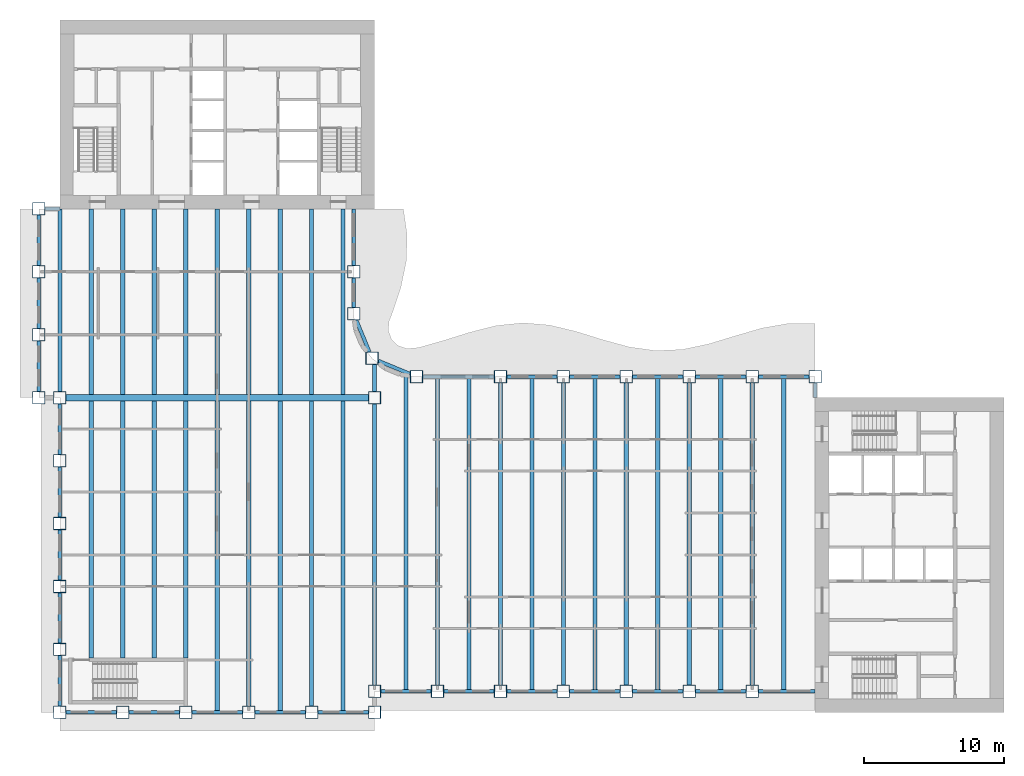
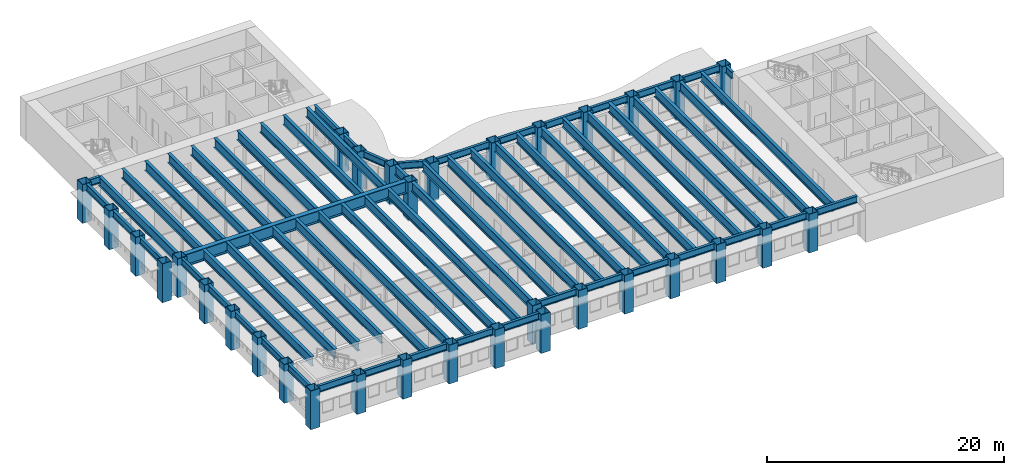
# One storey, part 1 of 16: 67 beams, 33 columns.
"""IFC4 building model written with IfcOpenShell, lengths in metres."""

from ifc_helpers import new_model, si_unit, direction, frame, origin, origin_2d, place, context, subcontext, project, spatial, hollow_rectangle, i_section, extrude, material, material_profile, profile_set, type_object, element, save


model = new_model("IFC4")

# Units and contexts
model_context = context("Model", 3, precision=1e-05, world=origin(), true_north=direction((0.0, 1.0)))
body_context = subcontext(model_context, "Body", "Model", "MODEL_VIEW")
ifc_project = project(units=[si_unit("LENGTHUNIT", "METRE"), si_unit("AREAUNIT", "SQUARE_METRE"), si_unit("VOLUMEUNIT", "CUBIC_METRE"), si_unit("PLANEANGLEUNIT", "RADIAN"), si_unit("MASSUNIT", "GRAM", prefix="KILO")], contexts=[model_context])

# Site, building, storey
site_placement = place(None, origin())
site = spatial("IfcSite", under=ifc_project, at=site_placement, CompositionType="ELEMENT")
building_placement = place(site_placement, origin())
building = spatial("IfcBuilding", under=site, at=building_placement, Name="Sennacour Bend Tower", CompositionType="ELEMENT")
storey_placement = place(building_placement, frame((0.0, 0.0, 179.0)))
storey = spatial("IfcBuildingStorey", under=building, at=storey_placement, Name="L41", CompositionType="ELEMENT", Elevation=179.0)

# Columns
ifc_material_1 = material(Name="Steel ASTM A572 Grade 50", Category="steel")
ifc_material_profile_1 = material_profile(ifc_material_1, hollow_rectangle(XDim=0.89990234375, YDim=0.89990234375, WallThickness=0.044921875, at=origin_2d()), Name="Steel ASTM A572 Grade 50", Category="steel")
ifc_profile_set_1 = profile_set([ifc_material_profile_1], Name="Steel ASTM A572 Grade 50")
column_type = type_object("IfcColumnType", Name="Box column 900", PredefinedType="COLUMN", material=ifc_profile_set_1)
for number, where, z_axis, x_axis, name in (
    (1, (-1.5, 22.5, -0.14990234375), (0.0, 0.0, 1.0), (1.0, 0.0, 0.0), "Perimeter column C3 L41-001"),
    (2, (-1.5, 27.0, -0.14990234375), (0.0, 0.0, 1.0), (1.0, 0.0, 0.0), "Perimeter column C3 L41-002"),
    (3, (-1.5, 31.5, -0.14990234375), (0.0, 0.0, 1.0), (1.0, 0.0, 0.0), "Perimeter column C3 L41-003"),
    (4, (-1.5, 36.0, -0.14990234375), (0.0, 0.0, 1.0), (1.0, 0.0, 0.0), "Perimeter column C3 L41-004"),
    (5, (0.0, 0.0, -0.14990234375), (0.0, 0.0, 1.0), (1.0, 0.0, 0.0), "Perimeter column C3 L41-005"),
    (6, (0.0, 4.5, -0.14990234375), (0.0, 0.0, 1.0), (1.0, 0.0, 0.0), "Perimeter column C3 L41-006"),
    (7, (0.0, 9.0, -0.14990234375), (0.0, 0.0, 1.0), (1.0, 0.0, 0.0), "Perimeter column C3 L41-007"),
    (8, (0.0, 13.5, -0.14990234375), (0.0, 0.0, 1.0), (1.0, 0.0, 0.0), "Perimeter column C3 L41-008"),
    (9, (0.0, 18.0, -0.14990234375), (0.0, 0.0, 1.0), (1.0, 0.0, 0.0), "Perimeter column C3 L41-009"),
    (10, (0.0, 22.5, -0.14990234375), (0.0, 0.0, 1.0), (1.0, 0.0, 0.0), "Perimeter column C3 L41-010"),
    (11, (4.5, 0.0, -0.14990234375), (0.0, 0.0, 1.0), (1.0, 0.0, 0.0), "Perimeter column C3 L41-011"),
    (12, (9.0, 0.0, -0.14990234375), (0.0, 0.0, 1.0), (1.0, 0.0, 0.0), "Perimeter column C3 L41-012"),
    (13, (13.5, 0.0, -0.14990234375), (0.0, 0.0, 1.0), (1.0, 0.0, 0.0), "Perimeter column C3 L41-013"),
    (14, (18.0, 0.0, -0.14990234375), (0.0, 0.0, 1.0), (1.0, 0.0, 0.0), "Perimeter column C3 L41-014"),
    (15, (21.0, 28.5, -0.14990234375), (0.0, 0.0, 1.0), (1.0, 0.0, 0.0), "Perimeter column C3 L41-015"),
    (16, (21.0, 31.5, -0.14990234375), (0.0, 0.0, 1.0), (1.0, 0.0, 0.0), "Perimeter column C3 L41-016"),
    (17, (22.318115234375, 25.318115234375, -0.14990234375), (0.0, 0.0, 1.0), (1.0, 0.0, 0.0), "Perimeter column C3 L41-017"),
    (18, (22.5, 0.0, -0.14990234375), (0.0, 0.0, 1.0), (1.0, 0.0, 0.0), "Perimeter column C3 L41-018"),
    (19, (22.5, 1.5, -0.14990234375), (0.0, 0.0, 1.0), (1.0, 0.0, 0.0), "Perimeter column C3 L41-019"),
    (20, (22.5, 22.5, -0.14990234375), (0.0, 0.0, 1.0), (1.0, 0.0, 0.0), "Knuckle column C3 L41-020"),
    (21, (25.5, 24.0, -0.14990234375), (0.0, 0.0, 1.0), (1.0, 0.0, 0.0), "Perimeter column C3 L41-021"),
    (22, (27.0, 1.5, -0.14990234375), (0.0, 0.0, 1.0), (1.0, 0.0, 0.0), "Perimeter column C3 L41-022"),
    (23, (31.5, 1.5, -0.14990234375), (0.0, 0.0, 1.0), (1.0, 0.0, 0.0), "Perimeter column C3 L41-023"),
    (24, (31.5, 24.0, -0.14990234375), (0.0, 0.0, 1.0), (1.0, 0.0, 0.0), "Perimeter column C3 L41-024"),
    (25, (36.0, 1.5, -0.14990234375), (0.0, 0.0, 1.0), (1.0, 0.0, 0.0), "Perimeter column C3 L41-025"),
    (26, (36.0, 24.0, -0.14990234375), (0.0, 0.0, 1.0), (1.0, 0.0, 0.0), "Perimeter column C3 L41-026"),
    (27, (40.5, 1.5, -0.14990234375), (0.0, 0.0, 1.0), (1.0, 0.0, 0.0), "Perimeter column C3 L41-027"),
    (28, (40.5, 24.0, -0.14990234375), (0.0, 0.0, 1.0), (1.0, 0.0, 0.0), "Perimeter column C3 L41-028"),
    (29, (45.0, 1.5, -0.14990234375), (0.0, 0.0, 1.0), (1.0, 0.0, 0.0), "Perimeter column C3 L41-029"),
    (30, (45.0, 24.0, -0.14990234375), (0.0, 0.0, 1.0), (1.0, 0.0, 0.0), "Perimeter column C3 L41-030"),
    (31, (49.5, 1.5, -0.14990234375), (0.0, 0.0, 1.0), (1.0, 0.0, 0.0), "Perimeter column C3 L41-031"),
    (32, (49.5, 24.0, -0.14990234375), (0.0, 0.0, 1.0), (1.0, 0.0, 0.0), "Perimeter column C3 L41-032"),
    (33, (54.0, 24.0, -0.14990234375), (0.0, 0.0, 1.0), (1.0, 0.0, 0.0), "Perimeter column C3 L41-033"),
):
    element("IfcColumn", number, at=place(storey_placement, frame(where, z_axis=z_axis, x_axis=x_axis)), inside=storey, type_object=column_type, Name=name, PredefinedType="COLUMN", context=body_context, shape_type="SweptSolid", body=[
        extrude(hollow_rectangle(XDim=0.89990234375, YDim=0.89990234375, WallThickness=0.044921875, at=origin_2d()), origin(), (0.0, 0.0, 1.0), 4.0),
    ])

# Beams
ifc_material_2 = material(Name="Steel ASTM A992 Grade 50", Category="steel")
ifc_material_profile_2 = material_profile(ifc_material_2, i_section(OverallWidth=0.300048828125, OverallDepth=0.97998046875, WebThickness=0.0166015625, FlangeThickness=0.026123046875, FilletRadius=0.02978515625, at=origin_2d()), Name="Steel ASTM A992 Grade 50", Category="steel")
ifc_profile_set_2 = profile_set([ifc_material_profile_2], Name="Steel ASTM A992 Grade 50")
beam_type_1 = type_object("IfcBeamType", Name="Floor beam W1000X249", PredefinedType="BEAM", material=ifc_profile_set_2)
beam_1_placement = place(storey_placement, frame((0.0, 22.949951171875, 3.360107421875), z_axis=(0.0, 1.0, 0.0), x_axis=(-1.0, 0.0, 0.0)))
element("IfcBeam", 34, at=beam_1_placement, inside=storey, type_object=beam_type_1, Name="Floor beam FBM2 L42-001", PredefinedType="BEAM", context=body_context, shape_type="SweptSolid", body=[
    extrude(i_section(OverallWidth=0.300048828125, OverallDepth=0.97998046875, WebThickness=0.0166015625, FlangeThickness=0.026123046875, FilletRadius=0.02978515625, at=origin_2d()), origin(), (0.0, 0.0, 1.0), 13.050048828125),
])
beam_2_placement = place(storey_placement, frame((2.25, 3.875, 3.360107421875), z_axis=(0.0, 1.0, 0.0), x_axis=(-1.0, 0.0, 0.0)))
element("IfcBeam", 35, at=beam_2_placement, inside=storey, type_object=beam_type_1, Name="Floor beam FBM2 L42-002", PredefinedType="BEAM", context=body_context, shape_type="SweptSolid", body=[
    extrude(i_section(OverallWidth=0.300048828125, OverallDepth=0.97998046875, WebThickness=0.0166015625, FlangeThickness=0.026123046875, FilletRadius=0.02978515625, at=origin_2d()), origin(), (0.0, 0.0, 1.0), 18.39990234375),
])
beam_3_placement = place(storey_placement, frame((2.25, 22.72509765625, 3.360107421875), z_axis=(0.0, 1.0, 0.0), x_axis=(-1.0, 0.0, 0.0)))
element("IfcBeam", 36, at=beam_3_placement, inside=storey, type_object=beam_type_1, Name="Floor beam FBM2 L42-003", PredefinedType="BEAM", context=body_context, shape_type="SweptSolid", body=[
    extrude(i_section(OverallWidth=0.300048828125, OverallDepth=0.97998046875, WebThickness=0.0166015625, FlangeThickness=0.026123046875, FilletRadius=0.02978515625, at=origin_2d()), origin(), (0.0, 0.0, 1.0), 13.27490234375),
])
beam_4_placement = place(storey_placement, frame((4.5, 3.875, 3.360107421875), z_axis=(0.0, 1.0, 0.0), x_axis=(-1.0, 0.0, 0.0)))
element("IfcBeam", 37, at=beam_4_placement, inside=storey, type_object=beam_type_1, Name="Floor beam FBM2 L42-004", PredefinedType="BEAM", context=body_context, shape_type="SweptSolid", body=[
    extrude(i_section(OverallWidth=0.300048828125, OverallDepth=0.97998046875, WebThickness=0.0166015625, FlangeThickness=0.026123046875, FilletRadius=0.02978515625, at=origin_2d()), origin(), (0.0, 0.0, 1.0), 18.39990234375),
])
beam_5_placement = place(storey_placement, frame((4.5, 22.72509765625, 3.360107421875), z_axis=(0.0, 1.0, 0.0), x_axis=(-1.0, 0.0, 0.0)))
element("IfcBeam", 38, at=beam_5_placement, inside=storey, type_object=beam_type_1, Name="Floor beam FBM2 L42-005", PredefinedType="BEAM", context=body_context, shape_type="SweptSolid", body=[
    extrude(i_section(OverallWidth=0.300048828125, OverallDepth=0.97998046875, WebThickness=0.0166015625, FlangeThickness=0.026123046875, FilletRadius=0.02978515625, at=origin_2d()), origin(), (0.0, 0.0, 1.0), 13.27490234375),
])
beam_6_placement = place(storey_placement, frame((6.75, 3.875, 3.360107421875), z_axis=(0.0, 1.0, 0.0), x_axis=(-1.0, 0.0, 0.0)))
element("IfcBeam", 39, at=beam_6_placement, inside=storey, type_object=beam_type_1, Name="Floor beam FBM2 L42-006", PredefinedType="BEAM", context=body_context, shape_type="SweptSolid", body=[
    extrude(i_section(OverallWidth=0.300048828125, OverallDepth=0.97998046875, WebThickness=0.0166015625, FlangeThickness=0.026123046875, FilletRadius=0.02978515625, at=origin_2d()), origin(), (0.0, 0.0, 1.0), 18.39990234375),
])
beam_7_placement = place(storey_placement, frame((6.75, 22.72509765625, 3.360107421875), z_axis=(0.0, 1.0, 0.0), x_axis=(-1.0, 0.0, 0.0)))
element("IfcBeam", 40, at=beam_7_placement, inside=storey, type_object=beam_type_1, Name="Floor beam FBM2 L42-007", PredefinedType="BEAM", context=body_context, shape_type="SweptSolid", body=[
    extrude(i_section(OverallWidth=0.300048828125, OverallDepth=0.97998046875, WebThickness=0.0166015625, FlangeThickness=0.026123046875, FilletRadius=0.02978515625, at=origin_2d()), origin(), (0.0, 0.0, 1.0), 13.27490234375),
])
beam_8_placement = place(storey_placement, frame((9.0, 3.875, 3.360107421875), z_axis=(0.0, 1.0, 0.0), x_axis=(-1.0, 0.0, 0.0)))
element("IfcBeam", 41, at=beam_8_placement, inside=storey, type_object=beam_type_1, Name="Floor beam FBM2 L42-008", PredefinedType="BEAM", context=body_context, shape_type="SweptSolid", body=[
    extrude(i_section(OverallWidth=0.300048828125, OverallDepth=0.97998046875, WebThickness=0.0166015625, FlangeThickness=0.026123046875, FilletRadius=0.02978515625, at=origin_2d()), origin(), (0.0, 0.0, 1.0), 18.39990234375),
])
beam_9_placement = place(storey_placement, frame((9.0, 22.72509765625, 3.360107421875), z_axis=(0.0, 1.0, 0.0), x_axis=(-1.0, 0.0, 0.0)))
element("IfcBeam", 42, at=beam_9_placement, inside=storey, type_object=beam_type_1, Name="Floor beam FBM2 L42-009", PredefinedType="BEAM", context=body_context, shape_type="SweptSolid", body=[
    extrude(i_section(OverallWidth=0.300048828125, OverallDepth=0.97998046875, WebThickness=0.0166015625, FlangeThickness=0.026123046875, FilletRadius=0.02978515625, at=origin_2d()), origin(), (0.0, 0.0, 1.0), 13.27490234375),
])
beam_10_placement = place(storey_placement, frame((11.25, 0.126953125, 3.360107421875), z_axis=(0.0, 1.0, 0.0), x_axis=(-1.0, 0.0, 0.0)))
element("IfcBeam", 43, at=beam_10_placement, inside=storey, type_object=beam_type_1, Name="Floor beam FBM2 L42-010", PredefinedType="BEAM", context=body_context, shape_type="SweptSolid", body=[
    extrude(i_section(OverallWidth=0.300048828125, OverallDepth=0.97998046875, WebThickness=0.0166015625, FlangeThickness=0.026123046875, FilletRadius=0.02978515625, at=origin_2d()), origin(), (0.0, 0.0, 1.0), 22.14794921875),
])
beam_11_placement = place(storey_placement, frame((11.25, 22.72509765625, 3.360107421875), z_axis=(0.0, 1.0, 0.0), x_axis=(-1.0, 0.0, 0.0)))
element("IfcBeam", 44, at=beam_11_placement, inside=storey, type_object=beam_type_1, Name="Floor beam FBM2 L42-011", PredefinedType="BEAM", context=body_context, shape_type="SweptSolid", body=[
    extrude(i_section(OverallWidth=0.300048828125, OverallDepth=0.97998046875, WebThickness=0.0166015625, FlangeThickness=0.026123046875, FilletRadius=0.02978515625, at=origin_2d()), origin(), (0.0, 0.0, 1.0), 13.27490234375),
])
beam_12_placement = place(storey_placement, frame((13.5, 0.449951171875, 3.360107421875), z_axis=(0.0, 1.0, 0.0), x_axis=(-1.0, 0.0, 0.0)))
element("IfcBeam", 45, at=beam_12_placement, inside=storey, type_object=beam_type_1, Name="Floor beam FBM2 L42-012", PredefinedType="BEAM", context=body_context, shape_type="SweptSolid", body=[
    extrude(i_section(OverallWidth=0.300048828125, OverallDepth=0.97998046875, WebThickness=0.0166015625, FlangeThickness=0.026123046875, FilletRadius=0.02978515625, at=origin_2d()), origin(), (0.0, 0.0, 1.0), 21.824951171875),
])
beam_13_placement = place(storey_placement, frame((13.5, 22.72509765625, 3.360107421875), z_axis=(0.0, 1.0, 0.0), x_axis=(-1.0, 0.0, 0.0)))
element("IfcBeam", 46, at=beam_13_placement, inside=storey, type_object=beam_type_1, Name="Floor beam FBM2 L42-013", PredefinedType="BEAM", context=body_context, shape_type="SweptSolid", body=[
    extrude(i_section(OverallWidth=0.300048828125, OverallDepth=0.97998046875, WebThickness=0.0166015625, FlangeThickness=0.026123046875, FilletRadius=0.02978515625, at=origin_2d()), origin(), (0.0, 0.0, 1.0), 13.27490234375),
])
beam_14_placement = place(storey_placement, frame((15.75, 0.126953125, 3.360107421875), z_axis=(0.0, 1.0, 0.0), x_axis=(-1.0, 0.0, 0.0)))
element("IfcBeam", 47, at=beam_14_placement, inside=storey, type_object=beam_type_1, Name="Floor beam FBM2 L42-014", PredefinedType="BEAM", context=body_context, shape_type="SweptSolid", body=[
    extrude(i_section(OverallWidth=0.300048828125, OverallDepth=0.97998046875, WebThickness=0.0166015625, FlangeThickness=0.026123046875, FilletRadius=0.02978515625, at=origin_2d()), origin(), (0.0, 0.0, 1.0), 22.14794921875),
])
beam_15_placement = place(storey_placement, frame((15.75, 22.72509765625, 3.360107421875), z_axis=(0.0, 1.0, 0.0), x_axis=(-1.0, 0.0, 0.0)))
element("IfcBeam", 48, at=beam_15_placement, inside=storey, type_object=beam_type_1, Name="Floor beam FBM2 L42-015", PredefinedType="BEAM", context=body_context, shape_type="SweptSolid", body=[
    extrude(i_section(OverallWidth=0.300048828125, OverallDepth=0.97998046875, WebThickness=0.0166015625, FlangeThickness=0.026123046875, FilletRadius=0.02978515625, at=origin_2d()), origin(), (0.0, 0.0, 1.0), 13.27490234375),
])
beam_16_placement = place(storey_placement, frame((18.0, 0.449951171875, 3.360107421875), z_axis=(0.0, 1.0, 0.0), x_axis=(-1.0, 0.0, 0.0)))
element("IfcBeam", 49, at=beam_16_placement, inside=storey, type_object=beam_type_1, Name="Floor beam FBM2 L42-016", PredefinedType="BEAM", context=body_context, shape_type="SweptSolid", body=[
    extrude(i_section(OverallWidth=0.300048828125, OverallDepth=0.97998046875, WebThickness=0.0166015625, FlangeThickness=0.026123046875, FilletRadius=0.02978515625, at=origin_2d()), origin(), (0.0, 0.0, 1.0), 21.824951171875),
])
beam_17_placement = place(storey_placement, frame((18.0, 22.72509765625, 3.360107421875), z_axis=(0.0, 1.0, 0.0), x_axis=(-1.0, 0.0, 0.0)))
element("IfcBeam", 50, at=beam_17_placement, inside=storey, type_object=beam_type_1, Name="Floor beam FBM2 L42-017", PredefinedType="BEAM", context=body_context, shape_type="SweptSolid", body=[
    extrude(i_section(OverallWidth=0.300048828125, OverallDepth=0.97998046875, WebThickness=0.0166015625, FlangeThickness=0.026123046875, FilletRadius=0.02978515625, at=origin_2d()), origin(), (0.0, 0.0, 1.0), 13.27490234375),
])
beam_18_placement = place(storey_placement, frame((20.25, 0.126953125, 3.360107421875), z_axis=(0.0, 1.0, 0.0), x_axis=(-1.0, 0.0, 0.0)))
element("IfcBeam", 51, at=beam_18_placement, inside=storey, type_object=beam_type_1, Name="Floor beam FBM2 L42-018", PredefinedType="BEAM", context=body_context, shape_type="SweptSolid", body=[
    extrude(i_section(OverallWidth=0.300048828125, OverallDepth=0.97998046875, WebThickness=0.0166015625, FlangeThickness=0.026123046875, FilletRadius=0.02978515625, at=origin_2d()), origin(), (0.0, 0.0, 1.0), 22.14794921875),
])
beam_19_placement = place(storey_placement, frame((20.25, 22.72509765625, 3.360107421875), z_axis=(0.0, 1.0, 0.0), x_axis=(-1.0, 0.0, 0.0)))
element("IfcBeam", 52, at=beam_19_placement, inside=storey, type_object=beam_type_1, Name="Floor beam FBM2 L42-019", PredefinedType="BEAM", context=body_context, shape_type="SweptSolid", body=[
    extrude(i_section(OverallWidth=0.300048828125, OverallDepth=0.97998046875, WebThickness=0.0166015625, FlangeThickness=0.026123046875, FilletRadius=0.02978515625, at=origin_2d()), origin(), (0.0, 0.0, 1.0), 13.27490234375),
])
beam_20_placement = place(storey_placement, frame((22.5, 1.949951171875, 3.360107421875), z_axis=(0.0, 1.0, 0.0), x_axis=(-1.0, 0.0, 0.0)))
element("IfcBeam", 53, at=beam_20_placement, inside=storey, type_object=beam_type_1, Name="Floor beam FBM2 L42-020", PredefinedType="BEAM", context=body_context, shape_type="SweptSolid", body=[
    extrude(i_section(OverallWidth=0.300048828125, OverallDepth=0.97998046875, WebThickness=0.0166015625, FlangeThickness=0.026123046875, FilletRadius=0.02978515625, at=origin_2d()), origin(), (0.0, 0.0, 1.0), 20.10009765625),
])
beam_21_placement = place(storey_placement, frame((22.5, 22.949951171875, 3.360107421875), z_axis=(0.0, 1.0, 0.0), x_axis=(-1.0, 0.0, 0.0)))
element("IfcBeam", 54, at=beam_21_placement, inside=storey, type_object=beam_type_1, Name="Floor beam FBM2 L42-021", PredefinedType="BEAM", context=body_context, shape_type="SweptSolid", body=[
    extrude(i_section(OverallWidth=0.300048828125, OverallDepth=0.97998046875, WebThickness=0.0166015625, FlangeThickness=0.026123046875, FilletRadius=0.02978515625, at=origin_2d()), origin(), (0.0, 0.0, 1.0), 1.91796875),
])
beam_22_placement = place(storey_placement, frame((24.75, 1.626953125, 3.360107421875), z_axis=(0.0, 1.0, 0.0), x_axis=(-1.0, 0.0, 0.0)))
element("IfcBeam", 55, at=beam_22_placement, inside=storey, type_object=beam_type_1, Name="Floor beam FBM2 L42-022", PredefinedType="BEAM", context=body_context, shape_type="SweptSolid", body=[
    extrude(i_section(OverallWidth=0.300048828125, OverallDepth=0.97998046875, WebThickness=0.0166015625, FlangeThickness=0.026123046875, FilletRadius=0.02978515625, at=origin_2d()), origin(), (0.0, 0.0, 1.0), 22.546142578125),
])
beam_23_placement = place(storey_placement, frame((27.0, 1.949951171875, 3.360107421875), z_axis=(0.0, 1.0, 0.0), x_axis=(-1.0, 0.0, 0.0)))
element("IfcBeam", 56, at=beam_23_placement, inside=storey, type_object=beam_type_1, Name="Floor beam FBM2 L42-023", PredefinedType="BEAM", context=body_context, shape_type="SweptSolid", body=[
    extrude(i_section(OverallWidth=0.300048828125, OverallDepth=0.97998046875, WebThickness=0.0166015625, FlangeThickness=0.026123046875, FilletRadius=0.02978515625, at=origin_2d()), origin(), (0.0, 0.0, 1.0), 21.923095703125),
])
beam_24_placement = place(storey_placement, frame((29.25, 1.626953125, 3.360107421875), z_axis=(0.0, 1.0, 0.0), x_axis=(-1.0, 0.0, 0.0)))
element("IfcBeam", 57, at=beam_24_placement, inside=storey, type_object=beam_type_1, Name="Floor beam FBM2 L42-024", PredefinedType="BEAM", context=body_context, shape_type="SweptSolid", body=[
    extrude(i_section(OverallWidth=0.300048828125, OverallDepth=0.97998046875, WebThickness=0.0166015625, FlangeThickness=0.026123046875, FilletRadius=0.02978515625, at=origin_2d()), origin(), (0.0, 0.0, 1.0), 22.24609375),
])
beam_25_placement = place(storey_placement, frame((31.5, 1.949951171875, 3.360107421875), z_axis=(0.0, 1.0, 0.0), x_axis=(-1.0, 0.0, 0.0)))
element("IfcBeam", 58, at=beam_25_placement, inside=storey, type_object=beam_type_1, Name="Floor beam FBM2 L42-025", PredefinedType="BEAM", context=body_context, shape_type="SweptSolid", body=[
    extrude(i_section(OverallWidth=0.300048828125, OverallDepth=0.97998046875, WebThickness=0.0166015625, FlangeThickness=0.026123046875, FilletRadius=0.02978515625, at=origin_2d()), origin(), (0.0, 0.0, 1.0), 21.60009765625),
])
beam_26_placement = place(storey_placement, frame((33.75, 1.626953125, 3.360107421875), z_axis=(0.0, 1.0, 0.0), x_axis=(-1.0, 0.0, 0.0)))
element("IfcBeam", 59, at=beam_26_placement, inside=storey, type_object=beam_type_1, Name="Floor beam FBM2 L42-026", PredefinedType="BEAM", context=body_context, shape_type="SweptSolid", body=[
    extrude(i_section(OverallWidth=0.300048828125, OverallDepth=0.97998046875, WebThickness=0.0166015625, FlangeThickness=0.026123046875, FilletRadius=0.02978515625, at=origin_2d()), origin(), (0.0, 0.0, 1.0), 22.24609375),
])
beam_27_placement = place(storey_placement, frame((36.0, 1.949951171875, 3.360107421875), z_axis=(0.0, 1.0, 0.0), x_axis=(-1.0, 0.0, 0.0)))
element("IfcBeam", 60, at=beam_27_placement, inside=storey, type_object=beam_type_1, Name="Floor beam FBM2 L42-027", PredefinedType="BEAM", context=body_context, shape_type="SweptSolid", body=[
    extrude(i_section(OverallWidth=0.300048828125, OverallDepth=0.97998046875, WebThickness=0.0166015625, FlangeThickness=0.026123046875, FilletRadius=0.02978515625, at=origin_2d()), origin(), (0.0, 0.0, 1.0), 21.60009765625),
])
beam_28_placement = place(storey_placement, frame((38.25, 1.626953125, 3.360107421875), z_axis=(0.0, 1.0, 0.0), x_axis=(-1.0, 0.0, 0.0)))
element("IfcBeam", 61, at=beam_28_placement, inside=storey, type_object=beam_type_1, Name="Floor beam FBM2 L42-028", PredefinedType="BEAM", context=body_context, shape_type="SweptSolid", body=[
    extrude(i_section(OverallWidth=0.300048828125, OverallDepth=0.97998046875, WebThickness=0.0166015625, FlangeThickness=0.026123046875, FilletRadius=0.02978515625, at=origin_2d()), origin(), (0.0, 0.0, 1.0), 22.24609375),
])
beam_29_placement = place(storey_placement, frame((40.5, 1.949951171875, 3.360107421875), z_axis=(0.0, 1.0, 0.0), x_axis=(-1.0, 0.0, 0.0)))
element("IfcBeam", 62, at=beam_29_placement, inside=storey, type_object=beam_type_1, Name="Floor beam FBM2 L42-029", PredefinedType="BEAM", context=body_context, shape_type="SweptSolid", body=[
    extrude(i_section(OverallWidth=0.300048828125, OverallDepth=0.97998046875, WebThickness=0.0166015625, FlangeThickness=0.026123046875, FilletRadius=0.02978515625, at=origin_2d()), origin(), (0.0, 0.0, 1.0), 21.60009765625),
])
beam_30_placement = place(storey_placement, frame((42.75, 1.626953125, 3.360107421875), z_axis=(0.0, 1.0, 0.0), x_axis=(-1.0, 0.0, 0.0)))
element("IfcBeam", 63, at=beam_30_placement, inside=storey, type_object=beam_type_1, Name="Floor beam FBM2 L42-030", PredefinedType="BEAM", context=body_context, shape_type="SweptSolid", body=[
    extrude(i_section(OverallWidth=0.300048828125, OverallDepth=0.97998046875, WebThickness=0.0166015625, FlangeThickness=0.026123046875, FilletRadius=0.02978515625, at=origin_2d()), origin(), (0.0, 0.0, 1.0), 22.24609375),
])
beam_31_placement = place(storey_placement, frame((45.0, 1.949951171875, 3.360107421875), z_axis=(0.0, 1.0, 0.0), x_axis=(-1.0, 0.0, 0.0)))
element("IfcBeam", 64, at=beam_31_placement, inside=storey, type_object=beam_type_1, Name="Floor beam FBM2 L42-031", PredefinedType="BEAM", context=body_context, shape_type="SweptSolid", body=[
    extrude(i_section(OverallWidth=0.300048828125, OverallDepth=0.97998046875, WebThickness=0.0166015625, FlangeThickness=0.026123046875, FilletRadius=0.02978515625, at=origin_2d()), origin(), (0.0, 0.0, 1.0), 21.60009765625),
])
beam_32_placement = place(storey_placement, frame((47.25, 1.626953125, 3.360107421875), z_axis=(0.0, 1.0, 0.0), x_axis=(-1.0, 0.0, 0.0)))
element("IfcBeam", 65, at=beam_32_placement, inside=storey, type_object=beam_type_1, Name="Floor beam FBM2 L42-032", PredefinedType="BEAM", context=body_context, shape_type="SweptSolid", body=[
    extrude(i_section(OverallWidth=0.300048828125, OverallDepth=0.97998046875, WebThickness=0.0166015625, FlangeThickness=0.026123046875, FilletRadius=0.02978515625, at=origin_2d()), origin(), (0.0, 0.0, 1.0), 22.24609375),
])
beam_33_placement = place(storey_placement, frame((49.5, 1.949951171875, 3.360107421875), z_axis=(0.0, 1.0, 0.0), x_axis=(-1.0, 0.0, 0.0)))
element("IfcBeam", 66, at=beam_33_placement, inside=storey, type_object=beam_type_1, Name="Floor beam FBM2 L42-033", PredefinedType="BEAM", context=body_context, shape_type="SweptSolid", body=[
    extrude(i_section(OverallWidth=0.300048828125, OverallDepth=0.97998046875, WebThickness=0.0166015625, FlangeThickness=0.026123046875, FilletRadius=0.02978515625, at=origin_2d()), origin(), (0.0, 0.0, 1.0), 21.60009765625),
])
beam_34_placement = place(storey_placement, frame((51.75, 1.626953125, 3.360107421875), z_axis=(0.0, 1.0, 0.0), x_axis=(-1.0, 0.0, 0.0)))
element("IfcBeam", 67, at=beam_34_placement, inside=storey, type_object=beam_type_1, Name="Floor beam FBM2 L42-034", PredefinedType="BEAM", context=body_context, shape_type="SweptSolid", body=[
    extrude(i_section(OverallWidth=0.300048828125, OverallDepth=0.97998046875, WebThickness=0.0166015625, FlangeThickness=0.026123046875, FilletRadius=0.02978515625, at=origin_2d()), origin(), (0.0, 0.0, 1.0), 22.24609375),
])
ifc_material_profile_3 = material_profile(ifc_material_1, i_section(OverallWidth=0.449951171875, OverallDepth=1.25, WebThickness=0.028076171875, FlangeThickness=0.050048828125, at=origin_2d()), Name="Steel ASTM A572 Grade 50", Category="steel")
ifc_profile_set_3 = profile_set([ifc_material_profile_3], Name="Steel ASTM A572 Grade 50")
beam_type_2 = type_object("IfcBeamType", Name="Knuckle girder 1250", PredefinedType="USERDEFINED", material=ifc_profile_set_3)
beam_35_placement = place(storey_placement, frame((0.449951171875, 22.5, 3.22509765625), z_axis=(1.0, 0.0, 0.0), x_axis=(0.0, 1.0, 0.0)))
element("IfcBeam", 68, at=beam_35_placement, inside=storey, type_object=beam_type_2, Name="Knuckle girder GK L42-001", ObjectType="KNUCKLE GIRDER", PredefinedType="USERDEFINED", context=body_context, shape_type="SweptSolid", body=[
    extrude(i_section(OverallWidth=0.449951171875, OverallDepth=1.25, WebThickness=0.028076171875, FlangeThickness=0.050048828125, at=origin_2d()), origin(), (0.0, 0.0, 1.0), 21.60009765625),
])
ifc_material_profile_4 = material_profile(ifc_material_2, i_section(OverallWidth=0.25390625, OverallDepth=0.700927734375, WebThickness=0.015380859375, FlangeThickness=0.02783203125, FilletRadius=0.015380859375, at=origin_2d()), Name="Steel ASTM A992 Grade 50", Category="steel")
ifc_profile_set_4 = profile_set([ifc_material_profile_4], Name="Steel ASTM A992 Grade 50")
beam_type_3 = type_object("IfcBeamType", Name="Spandrel beam W690X192", PredefinedType="SPANDREL", material=ifc_profile_set_4)
for number, where, z_axis, x_axis, name in (
    (69, (0.0, 0.449951171875, 3.49951171875), (0.0, 1.0, 0.0), (-1.0, 0.0, 0.0), "Spandrel beam SP4 L42-001"),
    (70, (0.0, 4.949951171875, 3.49951171875), (0.0, 1.0, 0.0), (-1.0, 0.0, 0.0), "Spandrel beam SP4 L42-002"),
    (71, (0.0, 9.449951171875, 3.49951171875), (0.0, 1.0, 0.0), (-1.0, 0.0, 0.0), "Spandrel beam SP4 L42-003"),
    (72, (0.0, 13.949951171875, 3.49951171875), (0.0, 1.0, 0.0), (-1.0, 0.0, 0.0), "Spandrel beam SP4 L42-004"),
    (73, (0.0, 18.449951171875, 3.49951171875), (0.0, 1.0, 0.0), (-1.0, 0.0, 0.0), "Spandrel beam SP4 L42-005"),
    (74, (-1.5, 22.949951171875, 3.49951171875), (0.0, 1.0, 0.0), (-1.0, 0.0, 0.0), "Spandrel beam SP4 L42-006"),
    (75, (-1.5, 27.449951171875, 3.49951171875), (0.0, 1.0, 0.0), (-1.0, 0.0, 0.0), "Spandrel beam SP4 L42-007"),
    (76, (-1.5, 31.949951171875, 3.49951171875), (0.0, 1.0, 0.0), (-1.0, 0.0, 0.0), "Spandrel beam SP4 L42-008"),
):
    element("IfcBeam", number, at=place(storey_placement, frame(where, z_axis=z_axis, x_axis=x_axis)), inside=storey, type_object=beam_type_3, Name=name, PredefinedType="SPANDREL", context=body_context, shape_type="SweptSolid", body=[
        extrude(i_section(OverallWidth=0.25390625, OverallDepth=0.700927734375, WebThickness=0.015380859375, FlangeThickness=0.02783203125, FilletRadius=0.015380859375, at=origin_2d()), origin(), (0.0, 0.0, 1.0), 3.60009765625),
    ])
beam_36_placement = place(storey_placement, frame((-1.050048828125, 36.0, 3.49951171875), z_axis=(1.0, 0.0, 0.0), x_axis=(0.0, 1.0, 0.0)))
element("IfcBeam", 77, at=beam_36_placement, inside=storey, type_object=beam_type_3, Name="Spandrel beam SP4 L42-009", PredefinedType="SPANDREL", context=body_context, shape_type="SweptSolid", body=[
    extrude(i_section(OverallWidth=0.25390625, OverallDepth=0.700927734375, WebThickness=0.015380859375, FlangeThickness=0.02783203125, FilletRadius=0.015380859375, at=origin_2d()), origin(), (0.0, 0.0, 1.0), 1.050048828125),
])
beam_37_placement = place(storey_placement, frame((21.0, 36.0, 3.49951171875), z_axis=(0.0, -1.0, 0.0), x_axis=(1.0, 0.0, 0.0)))
element("IfcBeam", 78, at=beam_37_placement, inside=storey, type_object=beam_type_3, Name="Spandrel beam SP4 L42-010", PredefinedType="SPANDREL", context=body_context, shape_type="SweptSolid", body=[
    extrude(i_section(OverallWidth=0.25390625, OverallDepth=0.700927734375, WebThickness=0.015380859375, FlangeThickness=0.02783203125, FilletRadius=0.015380859375, at=origin_2d()), origin(), (0.0, 0.0, 1.0), 4.050048828125),
])
beam_38_placement = place(storey_placement, frame((21.0, 31.050048828125, 3.49951171875), z_axis=(0.0, -1.0, 0.0), x_axis=(1.0, 0.0, 0.0)))
element("IfcBeam", 79, at=beam_38_placement, inside=storey, type_object=beam_type_3, Name="Spandrel beam SP4 L42-011", PredefinedType="SPANDREL", context=body_context, shape_type="SweptSolid", body=[
    extrude(i_section(OverallWidth=0.25390625, OverallDepth=0.700927734375, WebThickness=0.015380859375, FlangeThickness=0.02783203125, FilletRadius=0.015380859375, at=origin_2d()), origin(), (0.0, 0.0, 1.0), 2.10009765625),
])
for number, where, z_axis, x_axis, name in (
    (80, (21.186279296875, 28.050048828125, 3.49951171875), (0.382712608723, -0.923867446728, 0.0), (0.923867446728, 0.382712608723, 0.0), "Spandrel beam SP4 L42-012"),
    (81, (22.76806640625, 25.131591796875, 3.49951171875), (0.923867446728, -0.382712608723, 0.0), (0.382712608723, 0.923867446728, 0.0), "Spandrel beam SP4 L42-013"),
):
    element("IfcBeam", number, at=place(storey_placement, frame(where, z_axis=z_axis, x_axis=x_axis)), inside=storey, type_object=beam_type_3, Name=name, PredefinedType="SPANDREL", context=body_context, shape_type="SweptSolid", body=[
        extrude(i_section(OverallWidth=0.25390625, OverallDepth=0.700927734375, WebThickness=0.015380859375, FlangeThickness=0.02783203125, FilletRadius=0.015380859375, at=origin_2d()), origin(), (0.0, 0.0, 1.0), 2.469970703125),
    ])
beam_39_placement = place(storey_placement, frame((25.949951171875, 24.0, 3.49951171875), z_axis=(1.0, 0.0, 0.0), x_axis=(0.0, 1.0, 0.0)))
element("IfcBeam", 82, at=beam_39_placement, inside=storey, type_object=beam_type_3, Name="Spandrel beam SP4 L42-014", PredefinedType="SPANDREL", context=body_context, shape_type="SweptSolid", body=[
    extrude(i_section(OverallWidth=0.25390625, OverallDepth=0.700927734375, WebThickness=0.015380859375, FlangeThickness=0.02783203125, FilletRadius=0.015380859375, at=origin_2d()), origin(), (0.0, 0.0, 1.0), 5.10009765625),
])
for number, where, z_axis, x_axis, name in (
    (83, (31.949951171875, 24.0, 3.49951171875), (1.0, 0.0, 0.0), (0.0, 1.0, 0.0), "Spandrel beam SP4 L42-015"),
    (84, (36.449951171875, 24.0, 3.49951171875), (1.0, 0.0, 0.0), (0.0, 1.0, 0.0), "Spandrel beam SP4 L42-016"),
    (85, (40.949951171875, 24.0, 3.49951171875), (1.0, 0.0, 0.0), (0.0, 1.0, 0.0), "Spandrel beam SP4 L42-017"),
    (86, (45.449951171875, 24.0, 3.49951171875), (1.0, 0.0, 0.0), (0.0, 1.0, 0.0), "Spandrel beam SP4 L42-018"),
    (87, (49.949951171875, 24.0, 3.49951171875), (1.0, 0.0, 0.0), (0.0, 1.0, 0.0), "Spandrel beam SP4 L42-019"),
):
    element("IfcBeam", number, at=place(storey_placement, frame(where, z_axis=z_axis, x_axis=x_axis)), inside=storey, type_object=beam_type_3, Name=name, PredefinedType="SPANDREL", context=body_context, shape_type="SweptSolid", body=[
        extrude(i_section(OverallWidth=0.25390625, OverallDepth=0.700927734375, WebThickness=0.015380859375, FlangeThickness=0.02783203125, FilletRadius=0.015380859375, at=origin_2d()), origin(), (0.0, 0.0, 1.0), 3.60009765625),
    ])
beam_40_placement = place(storey_placement, frame((54.0, 23.550048828125, 3.49951171875), z_axis=(0.0, -1.0, 0.0), x_axis=(1.0, 0.0, 0.0)))
element("IfcBeam", 88, at=beam_40_placement, inside=storey, type_object=beam_type_3, Name="Spandrel beam SP4 L42-020", PredefinedType="SPANDREL", context=body_context, shape_type="SweptSolid", body=[
    extrude(i_section(OverallWidth=0.25390625, OverallDepth=0.700927734375, WebThickness=0.015380859375, FlangeThickness=0.02783203125, FilletRadius=0.015380859375, at=origin_2d()), origin(), (0.0, 0.0, 1.0), 1.050048828125),
])
beam_41_placement = place(storey_placement, frame((54.0, 1.5, 3.49951171875), z_axis=(-1.0, 0.0, 0.0), x_axis=(0.0, -1.0, 0.0)))
element("IfcBeam", 89, at=beam_41_placement, inside=storey, type_object=beam_type_3, Name="Spandrel beam SP4 L42-021", PredefinedType="SPANDREL", context=body_context, shape_type="SweptSolid", body=[
    extrude(i_section(OverallWidth=0.25390625, OverallDepth=0.700927734375, WebThickness=0.015380859375, FlangeThickness=0.02783203125, FilletRadius=0.015380859375, at=origin_2d()), origin(), (0.0, 0.0, 1.0), 4.050048828125),
])
for number, where, z_axis, x_axis, name in (
    (90, (49.050048828125, 1.5, 3.49951171875), (-1.0, 0.0, 0.0), (0.0, -1.0, 0.0), "Spandrel beam SP4 L42-022"),
    (91, (44.550048828125, 1.5, 3.49951171875), (-1.0, 0.0, 0.0), (0.0, -1.0, 0.0), "Spandrel beam SP4 L42-023"),
    (92, (40.050048828125, 1.5, 3.49951171875), (-1.0, 0.0, 0.0), (0.0, -1.0, 0.0), "Spandrel beam SP4 L42-024"),
    (93, (35.550048828125, 1.5, 3.49951171875), (-1.0, 0.0, 0.0), (0.0, -1.0, 0.0), "Spandrel beam SP4 L42-025"),
    (94, (31.050048828125, 1.5, 3.49951171875), (-1.0, 0.0, 0.0), (0.0, -1.0, 0.0), "Spandrel beam SP4 L42-026"),
    (95, (26.550048828125, 1.5, 3.49951171875), (-1.0, 0.0, 0.0), (0.0, -1.0, 0.0), "Spandrel beam SP4 L42-027"),
    (96, (22.050048828125, 0.0, 3.49951171875), (-1.0, 0.0, 0.0), (0.0, -1.0, 0.0), "Spandrel beam SP4 L42-028"),
    (97, (17.550048828125, 0.0, 3.49951171875), (-1.0, 0.0, 0.0), (0.0, -1.0, 0.0), "Spandrel beam SP4 L42-029"),
    (98, (13.050048828125, 0.0, 3.49951171875), (-1.0, 0.0, 0.0), (0.0, -1.0, 0.0), "Spandrel beam SP4 L42-030"),
    (99, (8.550048828125, 0.0, 3.49951171875), (-1.0, 0.0, 0.0), (0.0, -1.0, 0.0), "Spandrel beam SP4 L42-031"),
    (100, (4.050048828125, 0.0, 3.49951171875), (-1.0, 0.0, 0.0), (0.0, -1.0, 0.0), "Spandrel beam SP4 L42-032"),
):
    element("IfcBeam", number, at=place(storey_placement, frame(where, z_axis=z_axis, x_axis=x_axis)), inside=storey, type_object=beam_type_3, Name=name, PredefinedType="SPANDREL", context=body_context, shape_type="SweptSolid", body=[
        extrude(i_section(OverallWidth=0.25390625, OverallDepth=0.700927734375, WebThickness=0.015380859375, FlangeThickness=0.02783203125, FilletRadius=0.015380859375, at=origin_2d()), origin(), (0.0, 0.0, 1.0), 3.60009765625),
    ])

save(model, "model.ifc")
